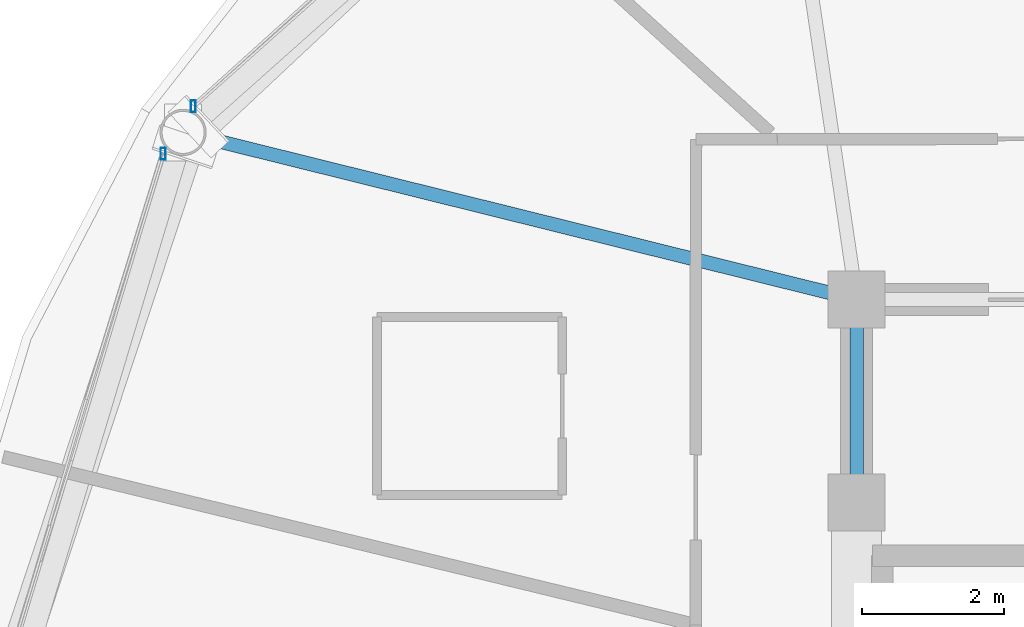
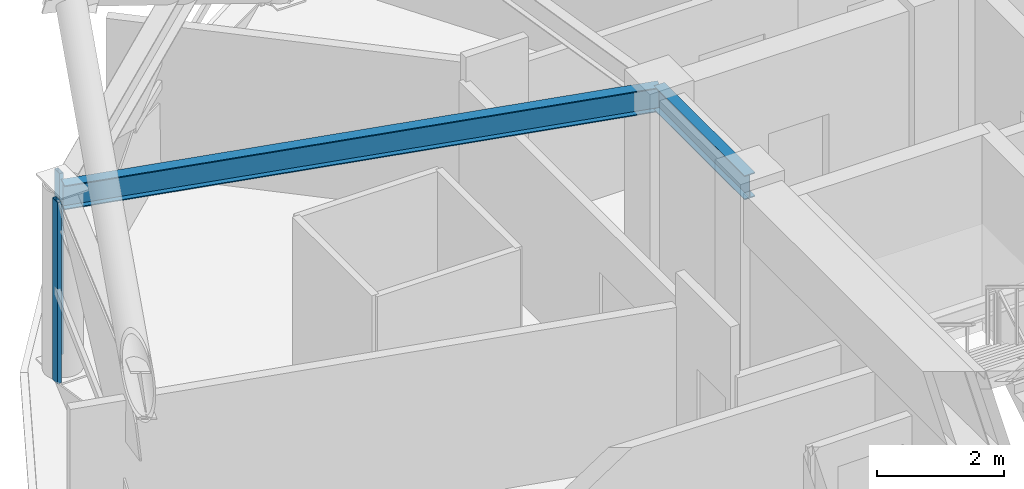
# One storey, part 9 of 29: 2 beams, 2 members, 2 elements without a shape of their own.
"""IFC4 building model written with IfcOpenShell, lengths in metres."""

from ifc_helpers import new_model, si_unit, direction, frame, origin, origin_2d, place, context, subcontext, project, spatial, hollow_rectangle, i_section, extrude, material, layer, layer_set, material_profile, profile_set, type_object, element, aggregate, save


model = new_model("IFC4")

# Units and contexts
model_context = context("Model", 3, precision=1e-05, world=origin(), true_north=direction((0.0, 1.0)))
body_context = subcontext(model_context, "Body", "Model", "MODEL_VIEW")
ifc_project = project(units=[si_unit("LENGTHUNIT", "METRE"), si_unit("AREAUNIT", "SQUARE_METRE"), si_unit("VOLUMEUNIT", "CUBIC_METRE"), si_unit("PLANEANGLEUNIT", "RADIAN"), si_unit("MASSUNIT", "GRAM", prefix="KILO")], contexts=[model_context])

# Site, building, storey
site_placement = place(None, origin())
site = spatial("IfcSite", under=ifc_project, at=site_placement, CompositionType="ELEMENT")
building_placement = place(site_placement, origin())
building = spatial("IfcBuilding", under=site, at=building_placement, Name="Vantalir Tower", CompositionType="ELEMENT")
storey_placement = place(building_placement, frame((0.0, 0.0, 227.39990234375)))
storey = spatial("IfcBuildingStorey", under=building, at=storey_placement, Name="L57", CompositionType="ELEMENT", Elevation=227.39990234375)

# Beams
ifc_material_1 = material(Name="Steel S355", Category="steel")
ifc_material_profile_1 = material_profile(ifc_material_1, i_section(OverallWidth=0.19189453125, OverallDepth=0.462890625, WebThickness=0.010498046875, FlangeThickness=0.017578125, at=origin_2d()), Name="Steel S355")
ifc_profile_set_1 = profile_set([ifc_material_profile_1], Name="Steel S355")
beam_type = type_object("IfcBeamType", Name="BM-RB-457x191", PredefinedType="BEAM", material=ifc_profile_set_1)
beam_1_placement = place(storey_placement, frame((21.89990234375, 32.449951171875, 3.338134765625), z_axis=(0.0, -1.0, 0.0), x_axis=(1.0, 0.0, 0.0)))
element("IfcBeam", 1, at=beam_1_placement, inside=storey, type_object=beam_type, Name="L57 Core Coupling Girder 12", PredefinedType="BEAM", context=body_context, shape_type="SweptSolid", body=[
    extrude(i_section(OverallWidth=0.19189453125, OverallDepth=0.462890625, WebThickness=0.010498046875, FlangeThickness=0.017578125, at=origin_2d()), origin(), (0.0, 0.0, 1.0), 2.849853515625),
])
beam_2_placement = place(storey_placement, frame((12.43603515625, 34.798095703125, 3.338134765625), z_axis=(0.970571038556, -0.240814989393, 0.0), x_axis=(0.240814989393, 0.970571038556, 0.0)))
element("IfcBeam", 2, at=beam_2_placement, inside=storey, type_object=beam_type, Name="L57 Radial Floor Beam 06", PredefinedType="BEAM", context=body_context, shape_type="SweptSolid", body=[
    extrude(i_section(OverallWidth=0.19189453125, OverallDepth=0.462890625, WebThickness=0.010498046875, FlangeThickness=0.017578125, at=origin_2d()), origin(), (0.0, 0.0, 1.0), 9.750732421875),
])

# Curtain wall, member
ifc_material_2 = material(Name="Champagne-silver PVDF aluminium and double-silver Low-E glass", Category="aluminium")
ifc_layer = layer(ifc_material_2, 0.2099609375)
ifc_layer_set = layer_set([ifc_layer], Name="Champagne-silver PVDF aluminium and double-silver Low-E glass")
curtain_wall_type = type_object("IfcCurtainWallType", Name="CW-DIAMOND-Z3", PredefinedType="USERDEFINED", material=ifc_layer_set)
curtain_wall_1_placement = place(storey_placement, origin())
curtain_wall_1 = element("IfcCurtainWall", 3, at=curtain_wall_1_placement, inside=storey, type_object=curtain_wall_type, Name="L57 Quilted Pyramid-Diamond Curtain Wall S05", ObjectType="UNITISED CURTAIN WALL", PredefinedType="USERDEFINED")
ifc_material_3 = material(Name="Champagne-silver PVDF aluminium 6063-T6", Category="aluminium")
ifc_material_profile_2 = material_profile(ifc_material_3, hollow_rectangle(XDim=0.070068359375, YDim=0.1650390625, WallThickness=0.00390625, at=origin_2d()), Name="Champagne-silver PVDF aluminium 6063-T6")
ifc_profile_set_2 = profile_set([ifc_material_profile_2], Name="Champagne-silver PVDF aluminium 6063-T6")
member_type = type_object("IfcMemberType", Name="CWM-165x70", PredefinedType="MULLION", material=ifc_profile_set_2)
member_1_placement = place(storey_placement, frame((12.577880859375, 35.166015625, 0.045166015625), z_axis=(0.0, 0.0, 1.0), x_axis=(1.0, 0.0, 0.0)))
member_1 = element("IfcMember", 4, at=member_1_placement, type_object=member_type, Name="CW-L57-S05 Mullion 2", PredefinedType="MULLION", context=body_context, shape_type="SweptSolid", body=[
    extrude(hollow_rectangle(XDim=0.070068359375, YDim=0.1650390625, WallThickness=0.00390625, at=origin_2d()), origin(), (0.0, 0.0, 1.0), 3.47998046875),
])
aggregate(curtain_wall_1, [member_1])

curtain_wall_2_placement = place(storey_placement, origin())
curtain_wall_2 = element("IfcCurtainWall", 5, at=curtain_wall_2_placement, inside=storey, type_object=curtain_wall_type, Name="L57 Quilted Pyramid-Diamond Curtain Wall S06", ObjectType="UNITISED CURTAIN WALL", PredefinedType="USERDEFINED")
member_2_placement = place(storey_placement, frame((12.154052734375, 34.5, 0.045166015625), z_axis=(0.0, 0.0, 1.0), x_axis=(1.0, 0.0, 0.0)))
member_2 = element("IfcMember", 6, at=member_2_placement, type_object=member_type, Name="CW-L57-S06 Mullion 1", PredefinedType="MULLION", context=body_context, shape_type="SweptSolid", body=[
    extrude(hollow_rectangle(XDim=0.070068359375, YDim=0.1650390625, WallThickness=0.00390625, at=origin_2d()), origin(), (0.0, 0.0, 1.0), 3.47998046875),
])
aggregate(curtain_wall_2, [member_2])

save(model, "model.ifc")
